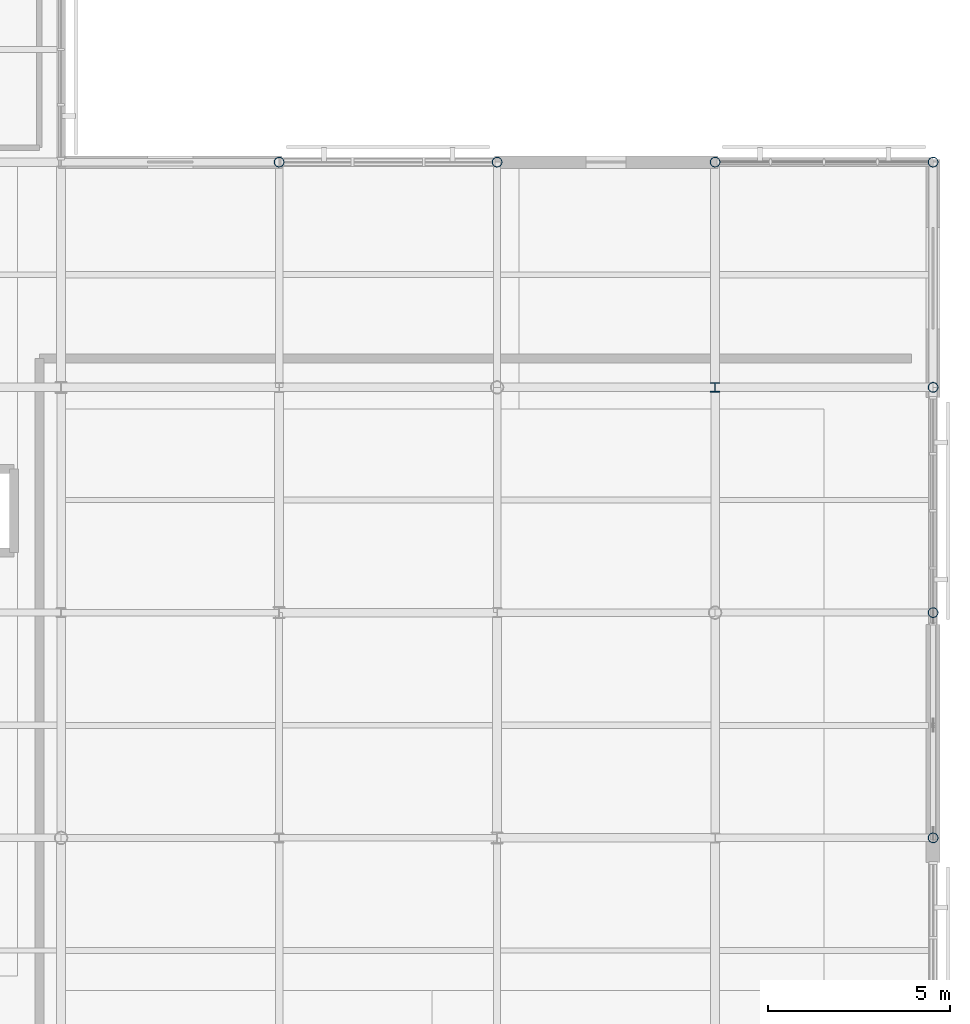
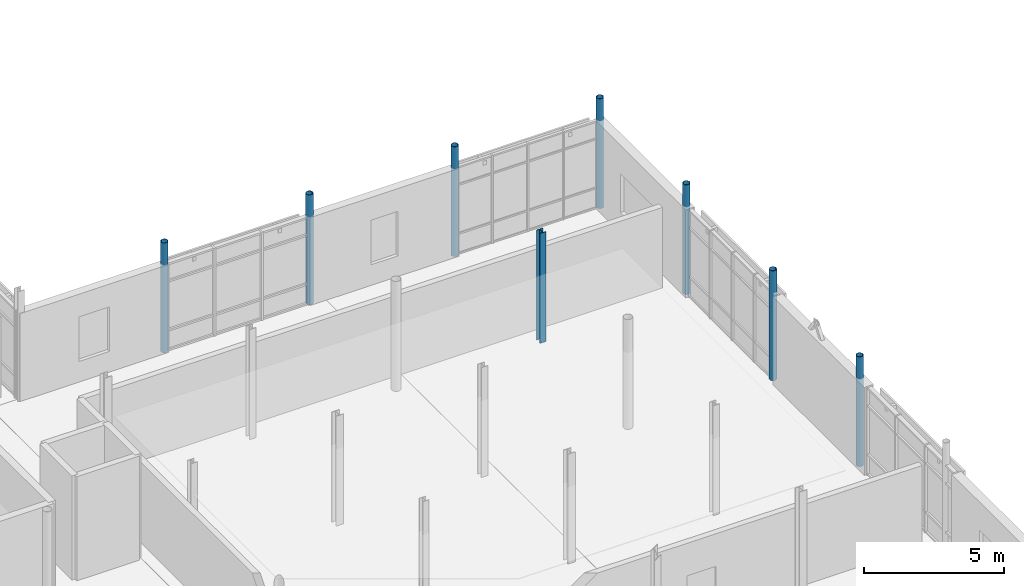
# One storey, part 17 of 84: 8 columns.
"""IFC4 building model written with IfcOpenShell, lengths in metres."""

import ifcopenshell
import ifcopenshell.guid

model = None  # the IFC model being written
_history = None  # IfcOwnerHistory: only IFC2X3 demands one
_inside = {}  # id of a spatial element -> (the spatial element, [elements in it])
_under = {}  # id of a project, library or spatial element -> (it, [spatial elements below it])
_declared = {}  # id of a project -> (the project, [libraries it declares])
_typed = {}  # id of a type object -> (the type object, [elements of that type])
_made_of = {}  # id of a material, layer set ... -> (it, [elements and type objects made of it])


def new_model(schema):
    """Start an empty IFC model of exactly this schema.

    Asked for "IFC4X3", IfcOpenShell would pick the latest addendum, in which some entities
    have other attributes; the version numbers below select the first issue.
    IFC2X3 requires an IfcOwnerHistory on every rooted entity: one is made here for all.
    """
    global model, _history
    if schema == "IFC4X3":
        model = ifcopenshell.file(schema_version=(4, 3, 0, 0))
    else:
        model = ifcopenshell.file(schema=schema)
    _inside.clear()
    _under.clear()
    _declared.clear()
    _typed.clear()
    _made_of.clear()
    _history = None
    if model.schema == "IFC2X3":
        org = make("IfcOrganization", Name="unknown")
        user = make(
            "IfcPersonAndOrganization",
            ThePerson=make("IfcPerson", FamilyName="unknown"),
            TheOrganization=org,
        )
        app = make(
            "IfcApplication",
            ApplicationDeveloper=org,
            Version="unknown",
            ApplicationFullName="unknown",
            ApplicationIdentifier="unknown",
        )
        _history = make(
            "IfcOwnerHistory",
            OwningUser=user,
            OwningApplication=app,
            ChangeAction="ADDED",
            CreationDate=0,
        )
    return model


def make(cls, **values):
    """One entity of the class cls with the attributes given. An attribute that is None is left unset."""
    return model.create_entity(
        cls, **{name: value for name, value in values.items() if value is not None}
    )


def rooted(cls, **values):
    """An entity with a GlobalId (a new one), such as an element, a storey or a relation."""
    return make(cls, GlobalId=ifcopenshell.guid.new(), OwnerHistory=_history, **values)


def si_unit(unit_type, name, prefix=None):
    """IfcSIUnit, for example si_unit("LENGTHUNIT", "METRE", prefix="MILLI")."""
    return make("IfcSIUnit", UnitType=unit_type, Prefix=prefix, Name=name)


def assignment(units):
    """IfcUnitAssignment: the units of a project."""
    return None if units is None else make("IfcUnitAssignment", Units=units)


def point(xyz):
    """IfcCartesianPoint."""
    return None if xyz is None else make("IfcCartesianPoint", Coordinates=xyz)


def direction(xyz):
    """IfcDirection."""
    return None if xyz is None else make("IfcDirection", DirectionRatios=xyz)


def frame(location, z_axis=None, x_axis=None):
    """IfcAxis2Placement3D, a coordinate frame: its origin and axes. An axis left out is left unset."""
    return make(
        "IfcAxis2Placement3D",
        Location=point(location),
        Axis=direction(z_axis),
        RefDirection=direction(x_axis),
    )


def frame_2d(location, x_axis=None):
    """IfcAxis2Placement2D, a coordinate frame in the plane: its origin and x axis."""
    return make(
        "IfcAxis2Placement2D", Location=point(location), RefDirection=direction(x_axis)
    )


def origin():
    """The frame at (0, 0, 0) with its axes left unset."""
    return frame((0.0, 0.0, 0.0))


def origin_2d():
    """The frame at (0, 0) in the plane with its x axis left unset."""
    return frame_2d((0.0, 0.0))


def place(relative_to, where):
    """IfcLocalPlacement: puts the frame where relative to a parent placement (None: the world)."""
    return make(
        "IfcLocalPlacement", PlacementRelTo=relative_to, RelativePlacement=where
    )


def context(
    kind, dimensions, precision=None, world=None, true_north=None, identifier=None
):
    """IfcGeometricRepresentationContext, for example the 3D "Model" context."""
    return make(
        "IfcGeometricRepresentationContext",
        ContextIdentifier=identifier,
        ContextType=kind,
        CoordinateSpaceDimension=dimensions,
        Precision=precision,
        WorldCoordinateSystem=world,
        TrueNorth=true_north,
    )


def subcontext(parent, identifier, kind, view, scale=None):
    """IfcGeometricRepresentationSubContext, for example "Body" below "Model"."""
    return make(
        "IfcGeometricRepresentationSubContext",
        ContextIdentifier=identifier,
        ContextType=kind,
        ParentContext=parent,
        TargetScale=scale,
        TargetView=view,
    )


def project(units=None, contexts=None):
    """IfcProject with its units and contexts."""
    return rooted(
        "IfcProject",
        Name="project",
        RepresentationContexts=contexts,
        UnitsInContext=assignment(units),
    )


def spatial(cls, under=None, at=None, **own):
    """A site, building, storey or space (cls), placed at a placement, below another one or the project."""
    s = rooted(cls, ObjectPlacement=at, **own)
    if under is not None:
        _under.setdefault(under.id(), (under, []))[1].append(s)
    return s


def profile(cls, at=None, kind="AREA", **sizes):
    """A parametric profile (cls). Its sizes go by their IFC names, for example OverallWidth=200.0."""
    return make(cls, ProfileType=kind, Position=at, **sizes)


def hollow_circle(**sizes):
    """IfcCircleHollowProfileDef."""
    return profile("IfcCircleHollowProfileDef", **sizes)


def i_section(**sizes):
    """IfcIShapeProfileDef."""
    return profile("IfcIShapeProfileDef", **sizes)


def extrude(swept, where, along, depth):
    """IfcExtrudedAreaSolid: the profile swept, set in the frame where, extruded along a direction by depth."""
    return make(
        "IfcExtrudedAreaSolid",
        SweptArea=swept,
        Position=where,
        ExtrudedDirection=direction(along),
        Depth=depth,
    )


def shape(context_of_items, identifier, shape_type, items):
    """IfcShapeRepresentation: the items that make up one representation, for example the "Body"."""
    return make(
        "IfcShapeRepresentation",
        ContextOfItems=context_of_items,
        RepresentationIdentifier=identifier,
        RepresentationType=shape_type,
        Items=items,
    )


def material(Name=None, Category=None):
    """IfcMaterial."""
    return make("IfcMaterial", Name=Name, Category=Category)


def material_profile(
    of_material, cross_section, Name=None, Category=None, Priority=None
):
    """IfcMaterialProfile: a cross section and its material."""
    return make(
        "IfcMaterialProfile",
        Name=Name,
        Material=of_material,
        Profile=cross_section,
        Priority=Priority,
        Category=Category,
    )


def profile_set(profiles, Name=None, composite=None):
    """IfcMaterialProfileSet."""
    return make(
        "IfcMaterialProfileSet",
        Name=Name,
        MaterialProfiles=profiles,
        CompositeProfile=composite,
    )


def made_of(thing, what):
    """Note that an element or type object is made of a material, layer set ...; save() writes the relation."""
    if what is not None:
        _made_of.setdefault(what.id(), (what, []))[1].append(thing)
    return thing


def type_object(cls, material=None, **own):
    """A type object (cls), such as IfcWallType, which elements share."""
    return made_of(rooted(cls, **own), material)


def element(
    cls,
    number,
    at=None,
    inside=None,
    cuts=None,
    type_object=None,
    material=None,
    context=None,
    identifier="Body",
    shape_type=None,
    held_by="IfcProductDefinitionShape",
    body=None,
    shapes=None,
    **own,
):
    """One element of the class cls, such as IfcWall. Its Tag is "e" and its number.

    at: its placement. inside: the storey or other place that contains it. cuts: it is an
    opening in that element (IfcRelVoidsElement). A single representation is given by context,
    identifier, shape_type and body (its items); several are given by shapes. held_by: the class
    of the entity that holds the representations. save() writes the other relations.
    """
    e = rooted(cls, Tag="e%d" % number, ObjectPlacement=at, **own)
    if body is not None:
        shapes = [shape(context, identifier, shape_type, body)]
    if shapes is not None:
        e.Representation = make(held_by, Representations=shapes)
    if inside is not None:
        _inside.setdefault(inside.id(), (inside, []))[1].append(e)
    if cuts is not None:
        rooted(
            "IfcRelVoidsElement", RelatingBuildingElement=cuts, RelatedOpeningElement=e
        )
    if type_object is not None:
        _typed.setdefault(type_object.id(), (type_object, []))[1].append(e)
    return made_of(e, material)


def aggregate(whole, parts):
    """IfcRelAggregates: a whole, such as a stair, and the parts it consists of."""
    return rooted("IfcRelAggregates", RelatingObject=whole, RelatedObjects=parts)


def save(model, path):
    """Write the relations noted so far, then the file.

    IfcRelAggregates (storeys below a building ...), IfcRelContainedInSpatialStructure (elements
    in a storey), IfcRelDefinesByType, IfcRelAssociatesMaterial and IfcRelDeclares: one each for
    every whole, place, type object, material and project.
    """
    for whole, parts in _under.values():
        aggregate(whole, parts)
    for where, things in _inside.values():
        rooted(
            "IfcRelContainedInSpatialStructure",
            RelatedElements=things,
            RelatingStructure=where,
        )
    for kind, things in _typed.values():
        rooted("IfcRelDefinesByType", RelatedObjects=things, RelatingType=kind)
    for what, things in _made_of.values():
        rooted("IfcRelAssociatesMaterial", RelatedObjects=things, RelatingMaterial=what)
    for by, libraries in _declared.values():
        rooted("IfcRelDeclares", RelatingContext=by, RelatedDefinitions=libraries)
    model.write(path)


model = new_model("IFC4")

# Units and contexts
model_context = context("Model", 3, precision=1e-05, world=origin(), true_north=direction((0.0, 1.0)))
body_context = subcontext(model_context, "Body", "Model", "MODEL_VIEW")
ifc_project = project(units=[si_unit("LENGTHUNIT", "METRE"), si_unit("AREAUNIT", "SQUARE_METRE"), si_unit("VOLUMEUNIT", "CUBIC_METRE"), si_unit("PLANEANGLEUNIT", "RADIAN"), si_unit("MASSUNIT", "GRAM", prefix="KILO")], contexts=[model_context])

# Site, building, storey
site_placement = place(None, origin())
site = spatial("IfcSite", under=ifc_project, at=site_placement, CompositionType="ELEMENT")
building_placement = place(site_placement, origin())
building = spatial("IfcBuilding", under=site, at=building_placement, Name="Mirzam Square Science Centre", CompositionType="ELEMENT")
storey_placement = place(building_placement, frame((0.0, 0.0, 10.800048828125)))
storey = spatial("IfcBuildingStorey", under=building, at=storey_placement, Name="L02", CompositionType="ELEMENT", Elevation=10.800048828125)

# Columns
ifc_material = material(Name="Steel S355", Category="steel")
ifc_material_profile_1 = material_profile(ifc_material, hollow_circle(Radius=0.136474609375, WallThickness=0.010009765625, at=origin_2d()), Name="273.0x10.0CHS")
ifc_profile_set_1 = profile_set([ifc_material_profile_1], Name="Steel S355")
column_type_1 = type_object("IfcColumnType", Name="COL-CHS273", PredefinedType="COLUMN", material=ifc_profile_set_1)
for number, where, z_axis, x_axis, name in (
    (1, (144.0, 86.800048828125, 0.0), (0.0, 0.0, 1.0), (1.0, 0.0, 0.0), "L02 column G25-15"),
    (2, (150.0, 86.800048828125, 0.0), (0.0, 0.0, 1.0), (1.0, 0.0, 0.0), "L02 column G26-15"),
    (3, (156.0, 86.800048828125, 0.0), (0.0, 0.0, 1.0), (1.0, 0.0, 0.0), "L02 column G27-15"),
    (4, (162.0, 68.199951171875, 0.0), (0.0, 0.0, 1.0), (1.0, 0.0, 0.0), "L02 column G28-12"),
    (5, (162.0, 74.39990234375, 0.0), (0.0, 0.0, 1.0), (1.0, 0.0, 0.0), "L02 column G28-13"),
    (6, (162.0, 80.60009765625, 0.0), (0.0, 0.0, 1.0), (1.0, 0.0, 0.0), "L02 column G28-14"),
    (7, (162.0, 86.800048828125, 0.0), (0.0, 0.0, 1.0), (1.0, 0.0, 0.0), "L02 column G28-15"),
):
    element("IfcColumn", number, at=place(storey_placement, frame(where, z_axis=z_axis, x_axis=x_axis)), inside=storey, type_object=column_type_1, Name=name, PredefinedType="COLUMN", context=body_context, shape_type="SweptSolid", body=[
        extrude(hollow_circle(Radius=0.136474609375, WallThickness=0.010009765625, at=origin_2d()), origin(), (0.0, 0.0, 1.0), 4.800048828125),
    ])
ifc_material_profile_2 = material_profile(ifc_material, i_section(OverallWidth=0.25634765625, OverallDepth=0.26025390625, WebThickness=0.01025390625, FlangeThickness=0.017333984375, FilletRadius=0.0126953125, at=origin_2d()), Name="254x254x89UC")
ifc_profile_set_2 = profile_set([ifc_material_profile_2], Name="Steel S355")
column_type_2 = type_object("IfcColumnType", Name="COL-UC254A", PredefinedType="COLUMN", material=ifc_profile_set_2)
column_placement = place(storey_placement, frame((156.0, 80.60009765625, 0.0), z_axis=(0.0, 0.0, 1.0), x_axis=(1.0, 0.0, 0.0)))
element("IfcColumn", 8, at=column_placement, inside=storey, type_object=column_type_2, Name="L02 column G27-14", PredefinedType="COLUMN", context=body_context, shape_type="SweptSolid", body=[
    extrude(i_section(OverallWidth=0.25634765625, OverallDepth=0.26025390625, WebThickness=0.01025390625, FlangeThickness=0.017333984375, FilletRadius=0.0126953125, at=origin_2d()), origin(), (0.0, 0.0, 1.0), 4.800048828125),
])

save(model, "model.ifc")
